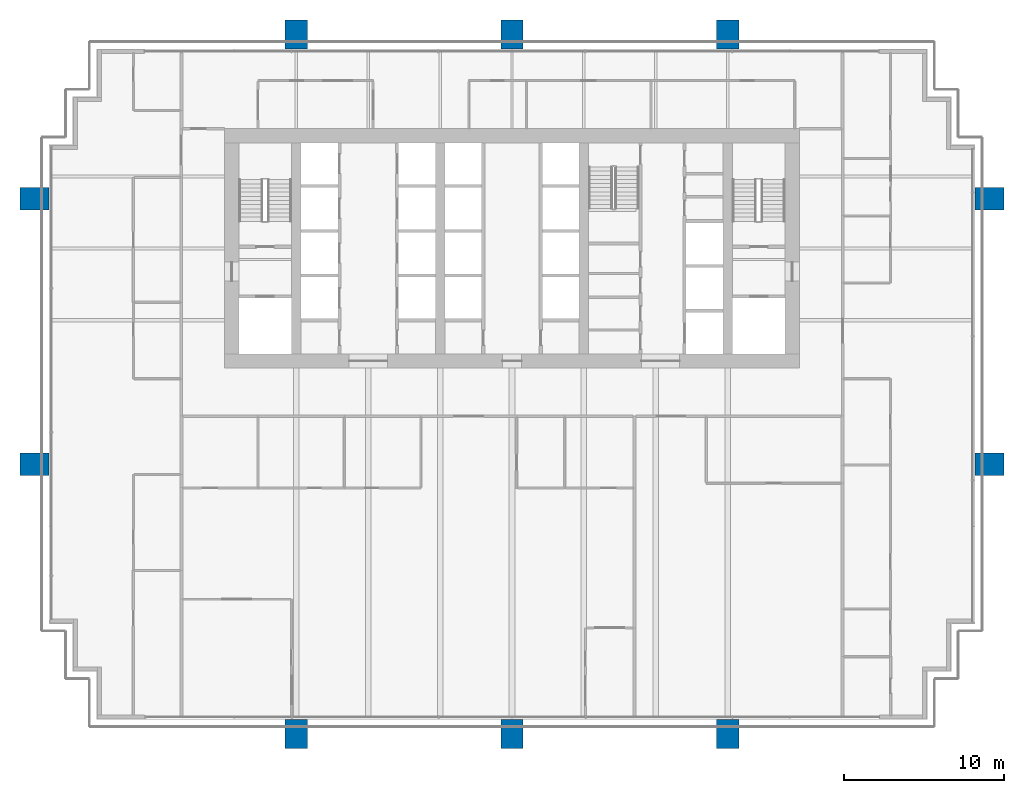
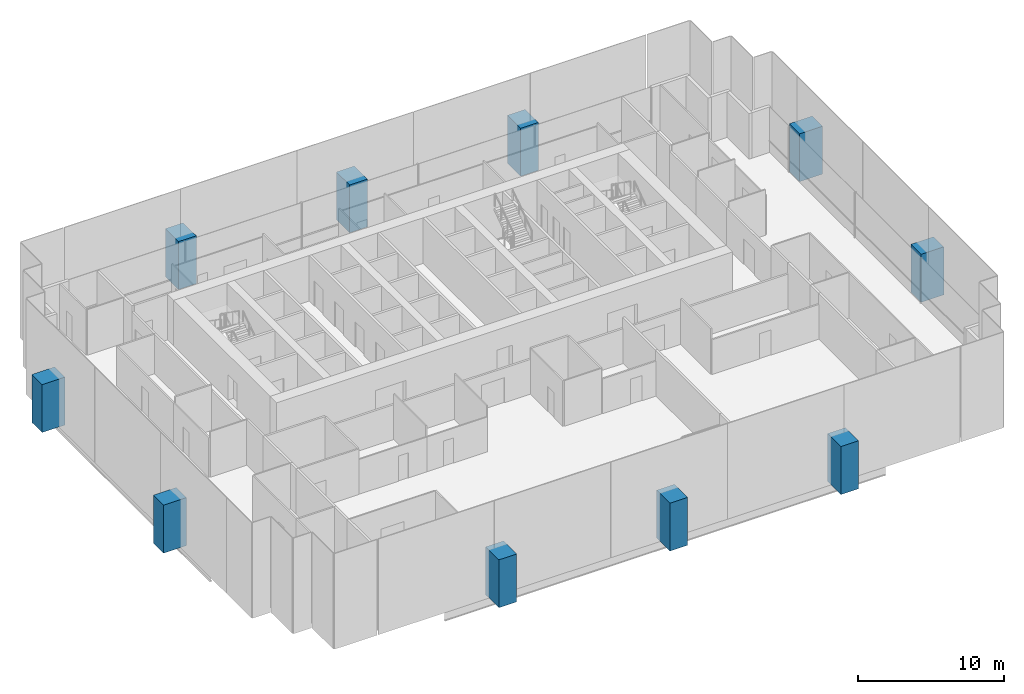
# One storey, part 1 of 17: 10 columns.
"""IFC4 building model written with IfcOpenShell, lengths in metres."""

from ifc_helpers import new_model, si_unit, direction, frame, origin, origin_2d, place, context, subcontext, project, spatial, rectangle, extrude, material, material_profile, profile_set, type_object, element, save


model = new_model("IFC4")

# Units and contexts
model_context = context("Model", 3, precision=1e-05, world=origin(), true_north=direction((0.0, 1.0)))
body_context = subcontext(model_context, "Body", "Model", "MODEL_VIEW")
ifc_project = project(units=[si_unit("LENGTHUNIT", "METRE"), si_unit("AREAUNIT", "SQUARE_METRE"), si_unit("VOLUMEUNIT", "CUBIC_METRE"), si_unit("PLANEANGLEUNIT", "RADIAN"), si_unit("MASSUNIT", "GRAM", prefix="KILO")], contexts=[model_context])

# Site, building, storey
site_placement = place(None, origin())
site = spatial("IfcSite", under=ifc_project, at=site_placement, CompositionType="ELEMENT")
building_placement = place(site_placement, origin())
building = spatial("IfcBuilding", under=site, at=building_placement, Name="Rattan Terrace Tower", CompositionType="ELEMENT")
storey_placement = place(building_placement, frame((0.0, 0.0, 126.10009765625)))
storey = spatial("IfcBuildingStorey", under=building, at=storey_placement, Name="L28", CompositionType="ELEMENT", Elevation=126.10009765625)

# Columns
ifc_material = material(Name="Concrete C50/60", Category="concrete")
ifc_material_profile = material_profile(ifc_material, rectangle(XDim=1.39990234375, YDim=1.800048828125, at=origin_2d()), Name="CFT 1800x1400")
ifc_profile_set = profile_set([ifc_material_profile], Name="Concrete C50/60")
column_type = type_object("IfcColumnType", Name="Frame exoskeleton column CFT 1800x1400", PredefinedType="COLUMN", material=ifc_profile_set)
for number, where, z_axis, x_axis, name in (
    (1, (-13.5, -30.39990234375, -0.2001953125), (0.0, 0.0, 1.0), (1.0, 0.0, 0.0), "exo-L28-001"),
    (2, (0.0, -30.39990234375, -0.2001953125), (0.0, 0.0, 1.0), (1.0, 0.0, 0.0), "exo-L28-002"),
    (3, (13.5, -30.39990234375, -0.2001953125), (0.0, 0.0, 1.0), (1.0, 0.0, 0.0), "exo-L28-003"),
    (4, (-29.89990234375, -13.5, -0.2001953125), (0.0, 0.0, 1.0), (0.0, 1.0, 0.0), "exo-L28-004"),
    (5, (29.89990234375, -13.5, -0.2001953125), (0.0, 0.0, 1.0), (0.0, 1.0, 0.0), "exo-L28-005"),
    (6, (-29.89990234375, 3.10009765625, -0.2001953125), (0.0, 0.0, 1.0), (0.0, 1.0, 0.0), "exo-L28-006"),
    (7, (29.89990234375, 3.10009765625, -0.2001953125), (0.0, 0.0, 1.0), (0.0, 1.0, 0.0), "exo-L28-007"),
    (8, (-13.5, 13.39990234375, -0.2001953125), (0.0, 0.0, 1.0), (1.0, 0.0, 0.0), "exo-L28-008"),
    (9, (0.0, 13.39990234375, -0.2001953125), (0.0, 0.0, 1.0), (1.0, 0.0, 0.0), "exo-L28-009"),
    (10, (13.5, 13.39990234375, -0.2001953125), (0.0, 0.0, 1.0), (1.0, 0.0, 0.0), "exo-L28-010"),
):
    element("IfcColumn", number, at=place(storey_placement, frame(where, z_axis=z_axis, x_axis=x_axis)), inside=storey, type_object=column_type, Name=name, PredefinedType="COLUMN", context=body_context, shape_type="SweptSolid", body=[
        extrude(rectangle(XDim=1.39990234375, YDim=1.800048828125, at=origin_2d()), origin(), (0.0, 0.0, 1.0), 4.0),
    ])

save(model, "model.ifc")
